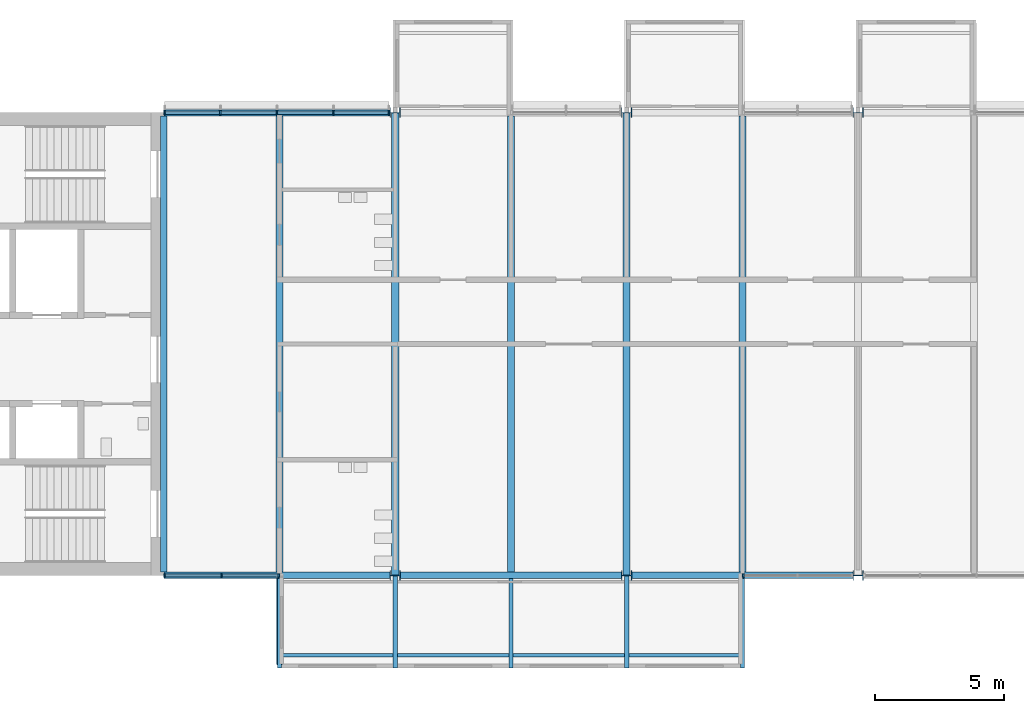
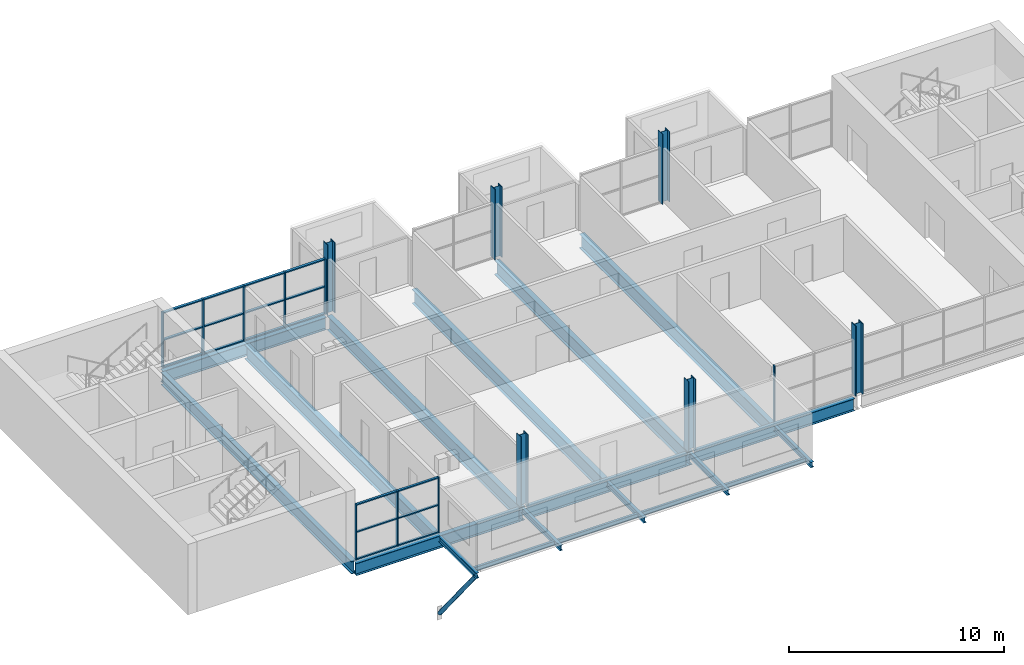
# One storey, part 1 of 12: 28 members, 19 beams, 6 columns, 3 elements without a shape of their own.
"""IFC4 building model written with IfcOpenShell, lengths in metres."""

from ifc_helpers import new_model, si_unit, direction, frame, origin, origin_2d, place, context, subcontext, project, spatial, rectangle, hollow_circle, i_section, extrude, material, layer, layer_set, material_profile, profile_set, type_object, element, aggregate, save


model = new_model("IFC4")

# Units and contexts
model_context = context("Model", 3, precision=1e-05, world=origin(), true_north=direction((0.0, 1.0)))
body_context = subcontext(model_context, "Body", "Model", "MODEL_VIEW")
ifc_project = project(units=[si_unit("LENGTHUNIT", "METRE"), si_unit("AREAUNIT", "SQUARE_METRE"), si_unit("VOLUMEUNIT", "CUBIC_METRE"), si_unit("PLANEANGLEUNIT", "RADIAN"), si_unit("MASSUNIT", "GRAM", prefix="KILO")], contexts=[model_context])

# Site, building, storey
site_placement = place(None, origin())
site = spatial("IfcSite", under=ifc_project, at=site_placement, CompositionType="ELEMENT")
building_placement = place(site_placement, origin())
building = spatial("IfcBuilding", under=site, at=building_placement, Name="Corbel Yard City Hall", CompositionType="ELEMENT")
storey_placement = place(building_placement, frame((0.0, 0.0, 31.199951171875)))
storey = spatial("IfcBuildingStorey", under=building, at=storey_placement, Name="L07", CompositionType="ELEMENT", Elevation=31.199951171875)

# Columns
ifc_material_1 = material(Name="Steel Grade 350", Category="steel")
ifc_material_profile_1 = material_profile(ifc_material_1, i_section(OverallWidth=0.39990234375, OverallDepth=0.4140625, WebThickness=0.02490234375, FlangeThickness=0.031982421875, at=origin_2d()), Name="400WC270")
ifc_profile_set_1 = profile_set([ifc_material_profile_1], Name="Steel Grade 350")
column_type = type_object("IfcColumnType", Name="Column 400WC270", PredefinedType="COLUMN", material=ifc_profile_set_1)
for number, where, z_axis, x_axis, name in (
    (1, (18.0, 99.0, 0.0), (0.0, 0.0, 1.0), (0.0, 1.0, 0.0), "Column 400WC270 L/3 L07"),
    (2, (18.0, 117.0, 0.0), (0.0, 0.0, 1.0), (0.0, 1.0, 0.0), "Column 400WC270 N/3 L07"),
    (3, (27.0, 99.0, 0.0), (0.0, 0.0, 1.0), (0.0, 1.0, 0.0), "Column 400WC270 L/4 L07"),
    (4, (27.0, 117.0, 0.0), (0.0, 0.0, 1.0), (0.0, 1.0, 0.0), "Column 400WC270 N/4 L07"),
    (5, (36.0, 99.0, 0.0), (0.0, 0.0, 1.0), (0.0, 1.0, 0.0), "Column 400WC270 L/5 L07"),
    (6, (36.0, 117.0, 0.0), (0.0, 0.0, 1.0), (0.0, 1.0, 0.0), "Column 400WC270 N/5 L07"),
):
    element("IfcColumn", number, at=place(storey_placement, frame(where, z_axis=z_axis, x_axis=x_axis)), inside=storey, type_object=column_type, Name=name, PredefinedType="COLUMN", context=body_context, shape_type="SweptSolid", body=[
        extrude(i_section(OverallWidth=0.39990234375, OverallDepth=0.4140625, WebThickness=0.02490234375, FlangeThickness=0.031982421875, at=origin_2d()), origin(), (0.0, 0.0, 1.0), 4.0),
    ])

# Beams
ifc_material_profile_2 = material_profile(ifc_material_1, i_section(OverallWidth=0.25, OverallDepth=0.699951171875, WebThickness=0.010009765625, FlangeThickness=0.02001953125, at=origin_2d()), Name="700WB130")
ifc_profile_set_2 = profile_set([ifc_material_profile_2], Name="Steel Grade 350")
beam_type_1 = type_object("IfcBeamType", Name="Edge beam 700WB130", PredefinedType="BEAM", material=ifc_profile_set_2)
beam_1_placement = place(storey_placement, frame((9.0, 99.0, -0.5), z_axis=(1.0, 0.0, 0.0), x_axis=(0.0, 1.0, 0.0)))
element("IfcBeam", 7, at=beam_1_placement, inside=storey, type_object=beam_type_1, Name="Edge beam 700WB130 EB9 L07tower", PredefinedType="BEAM", context=body_context, shape_type="SweptSolid", body=[
    extrude(i_section(OverallWidth=0.25, OverallDepth=0.699951171875, WebThickness=0.010009765625, FlangeThickness=0.02001953125, at=origin_2d()), origin(), (0.0, 0.0, 1.0), 8.79296875),
])
for number, where, z_axis, x_axis, name in (
    (8, (18.20703125, 99.0, -0.5), (1.0, 0.0, 0.0), (0.0, 1.0, 0.0), "Edge beam 700WB130 EB9 L07tower"),
    (9, (27.20703125, 99.0, -0.5), (1.0, 0.0, 0.0), (0.0, 1.0, 0.0), "Edge beam 700WB130 EB9 L07tower"),
):
    element("IfcBeam", number, at=place(storey_placement, frame(where, z_axis=z_axis, x_axis=x_axis)), inside=storey, type_object=beam_type_1, Name=name, PredefinedType="BEAM", context=body_context, shape_type="SweptSolid", body=[
        extrude(i_section(OverallWidth=0.25, OverallDepth=0.699951171875, WebThickness=0.010009765625, FlangeThickness=0.02001953125, at=origin_2d()), origin(), (0.0, 0.0, 1.0), 8.5859375),
    ])
beam_2_placement = place(storey_placement, frame((9.0, 117.0, -0.5), z_axis=(1.0, 0.0, 0.0), x_axis=(0.0, 1.0, 0.0)))
element("IfcBeam", 10, at=beam_2_placement, inside=storey, type_object=beam_type_1, Name="Edge beam 700WB130 EB9 L07tower", PredefinedType="BEAM", context=body_context, shape_type="SweptSolid", body=[
    extrude(i_section(OverallWidth=0.25, OverallDepth=0.699951171875, WebThickness=0.010009765625, FlangeThickness=0.02001953125, at=origin_2d()), origin(), (0.0, 0.0, 1.0), 8.79296875),
])
ifc_material_profile_3 = material_profile(ifc_material_1, i_section(OverallWidth=0.27490234375, OverallDepth=0.800048828125, WebThickness=0.010009765625, FlangeThickness=0.02001953125, at=origin_2d()), Name="800WB146")
ifc_profile_set_3 = profile_set([ifc_material_profile_3], Name="Steel Grade 350")
beam_type_2 = type_object("IfcBeamType", Name="Long-span beam 800WB146", PredefinedType="BEAM", material=ifc_profile_set_3)
for number, where, z_axis, x_axis, name in (
    (11, (18.0, 99.012451171875, -0.550048828125), (0.0, 1.0, 0.0), (-1.0, 0.0, 0.0), "Long-span beam 800WB146 SB8 L07tower"),
    (12, (27.0, 99.012451171875, -0.550048828125), (0.0, 1.0, 0.0), (-1.0, 0.0, 0.0), "Long-span beam 800WB146 SB8 L07tower"),
):
    element("IfcBeam", number, at=place(storey_placement, frame(where, z_axis=z_axis, x_axis=x_axis)), inside=storey, type_object=beam_type_2, Name=name, PredefinedType="BEAM", context=body_context, shape_type="SweptSolid", body=[
        extrude(i_section(OverallWidth=0.27490234375, OverallDepth=0.800048828125, WebThickness=0.010009765625, FlangeThickness=0.02001953125, at=origin_2d()), origin(), (0.0, 0.0, 1.0), 17.97509765625),
    ])
ifc_material_profile_4 = material_profile(ifc_material_1, i_section(OverallWidth=0.25, OverallDepth=0.7099609375, WebThickness=0.010009765625, FlangeThickness=0.02490234375, at=origin_2d()), Name="700WB150")
ifc_profile_set_4 = profile_set([ifc_material_profile_4], Name="Steel Grade 350")
beam_type_3 = type_object("IfcBeamType", Name="Long-span edge beam 700WB150", PredefinedType="BEAM", material=ifc_profile_set_4)
beam_3_placement = place(storey_placement, frame((9.0, 99.125, -0.5048828125), z_axis=(0.0, 1.0, 0.0), x_axis=(-1.0, 0.0, 0.0)))
element("IfcBeam", 13, at=beam_3_placement, inside=storey, type_object=beam_type_3, Name="Long-span edge beam 700WB150 EB8 L07tower", PredefinedType="BEAM", context=body_context, shape_type="SweptSolid", body=[
    extrude(i_section(OverallWidth=0.25, OverallDepth=0.7099609375, WebThickness=0.010009765625, FlangeThickness=0.02490234375, at=origin_2d()), origin(), (0.0, 0.0, 1.0), 17.75),
])
ifc_material_profile_5 = material_profile(ifc_material_1, i_section(OverallWidth=0.27490234375, OverallDepth=0.800048828125, WebThickness=0.010009765625, FlangeThickness=0.02001953125, at=origin_2d()), Name="800WB146")
ifc_profile_set_5 = profile_set([ifc_material_profile_5], Name="Steel Grade 350")
beam_type_4 = type_object("IfcBeamType", Name="Long-span secondary beam 800WB146", PredefinedType="JOIST", material=ifc_profile_set_5)
for number, where, z_axis, x_axis, name in (
    (14, (13.5, 99.125, -0.550048828125), (0.0, 1.0, 0.0), (-1.0, 0.0, 0.0), "Long-span secondary beam 800WB146 SB7 L07tower"),
    (15, (22.5, 99.125, -0.550048828125), (0.0, 1.0, 0.0), (-1.0, 0.0, 0.0), "Long-span secondary beam 800WB146 SB7 L07tower"),
    (16, (31.5, 99.125, -0.550048828125), (0.0, 1.0, 0.0), (-1.0, 0.0, 0.0), "Long-span secondary beam 800WB146 SB7 L07tower"),
):
    element("IfcBeam", number, at=place(storey_placement, frame(where, z_axis=z_axis, x_axis=x_axis)), inside=storey, type_object=beam_type_4, Name=name, PredefinedType="JOIST", context=body_context, shape_type="SweptSolid", body=[
        extrude(i_section(OverallWidth=0.27490234375, OverallDepth=0.800048828125, WebThickness=0.010009765625, FlangeThickness=0.02001953125, at=origin_2d()), origin(), (0.0, 0.0, 1.0), 17.75),
    ])

# Curtain wall, members
ifc_material_2 = material(Name="Aluminium extrusion", Category="aluminium")
ifc_layer_1 = layer(ifc_material_2, 0.14990234375)
ifc_layer_set_1 = layer_set([ifc_layer_1], Name="Aluminium extrusion")
curtain_wall_type_1 = type_object("IfcCurtainWallType", Name="CW2", PredefinedType="USERDEFINED", material=ifc_layer_set_1)
curtain_wall_1_placement = place(storey_placement, origin())
curtain_wall_1 = element("IfcCurtainWall", 17, at=curtain_wall_1_placement, inside=storey, type_object=curtain_wall_type_1, Name="Curtain wall CW2 L07", ObjectType="CURTAIN WALL", PredefinedType="USERDEFINED")
ifc_material_profile_6 = material_profile(ifc_material_2, rectangle(XDim=0.14990234375, YDim=0.06494140625, at=origin_2d()), Name="150x65")
ifc_profile_set_6 = profile_set([ifc_material_profile_6], Name="Aluminium extrusion")
member_type_1 = type_object("IfcMemberType", Name="ML2", PredefinedType="MULLION", material=ifc_profile_set_6)
member_1_placement = place(storey_placement, frame((9.032470703125, 99.0, 0.0), z_axis=(0.0, 0.0, 1.0), x_axis=(0.0, 1.0, 0.0)))
member_1 = element("IfcMember", 18, at=member_1_placement, type_object=member_type_1, Name="CW2 mullion 1", PredefinedType="MULLION", context=body_context, shape_type="SweptSolid", body=[
    extrude(rectangle(XDim=0.14990234375, YDim=0.06494140625, at=origin_2d()), origin(), (0.0, 0.0, 1.0), 3.150146484375),
])
member_2_placement = place(storey_placement, frame((11.25, 99.0, 0.0), z_axis=(0.0, 0.0, 1.0), x_axis=(0.0, 1.0, 0.0)))
member_2 = element("IfcMember", 19, at=member_2_placement, type_object=member_type_1, Name="CW2 mullion 2", PredefinedType="MULLION", context=body_context, shape_type="SweptSolid", body=[
    extrude(rectangle(XDim=0.14990234375, YDim=0.06494140625, at=origin_2d()), origin(), (0.0, 0.0, 1.0), 3.150146484375),
])
member_3_placement = place(storey_placement, frame((13.467529296875, 99.0, 0.0), z_axis=(0.0, 0.0, 1.0), x_axis=(0.0, 1.0, 0.0)))
member_3 = element("IfcMember", 20, at=member_3_placement, type_object=member_type_1, Name="CW2 mullion 3", PredefinedType="MULLION", context=body_context, shape_type="SweptSolid", body=[
    extrude(rectangle(XDim=0.14990234375, YDim=0.06494140625, at=origin_2d()), origin(), (0.0, 0.0, 1.0), 3.150146484375),
])

# Curtain wall, member
curtain_wall_2_placement = place(storey_placement, origin())
curtain_wall_2 = element("IfcCurtainWall", 21, at=curtain_wall_2_placement, inside=storey, type_object=curtain_wall_type_1, Name="Curtain wall CW2 L07", ObjectType="CURTAIN WALL", PredefinedType="USERDEFINED")
member_4_placement = place(storey_placement, frame((31.532470703125, 99.0, 0.0), z_axis=(0.0, 0.0, 1.0), x_axis=(0.0, 1.0, 0.0)))
member_4 = element("IfcMember", 22, at=member_4_placement, type_object=member_type_1, Name="CW2 mullion 1", PredefinedType="MULLION", context=body_context, shape_type="SweptSolid", body=[
    extrude(rectangle(XDim=0.14990234375, YDim=0.06494140625, at=origin_2d()), origin(), (0.0, 0.0, 1.0), 3.150146484375),
])
aggregate(curtain_wall_2, [member_4])

# Curtain wall, members
ifc_layer_2 = layer(ifc_material_2, 0.179931640625)
ifc_layer_set_2 = layer_set([ifc_layer_2], Name="Aluminium extrusion")
curtain_wall_type_2 = type_object("IfcCurtainWallType", Name="CW6", PredefinedType="USERDEFINED", material=ifc_layer_set_2)
curtain_wall_3_placement = place(storey_placement, origin())
curtain_wall_3 = element("IfcCurtainWall", 23, at=curtain_wall_3_placement, inside=storey, type_object=curtain_wall_type_2, Name="Curtain wall CW6 L07", ObjectType="CURTAIN WALL", PredefinedType="USERDEFINED")
ifc_material_profile_7 = material_profile(ifc_material_2, rectangle(XDim=0.179931640625, YDim=0.06494140625, at=origin_2d()), Name="180x65")
ifc_profile_set_7 = profile_set([ifc_material_profile_7], Name="Aluminium extrusion")
member_type_2 = type_object("IfcMemberType", Name="ML6", PredefinedType="MULLION", material=ifc_profile_set_7)
member_5_placement = place(storey_placement, frame((9.032470703125, 117.0, 0.0), z_axis=(0.0, 0.0, 1.0), x_axis=(0.0, 1.0, 0.0)))
member_5 = element("IfcMember", 24, at=member_5_placement, type_object=member_type_2, Name="CW6 mullion 1", PredefinedType="MULLION", context=body_context, shape_type="SweptSolid", body=[
    extrude(rectangle(XDim=0.179931640625, YDim=0.06494140625, at=origin_2d()), origin(), (0.0, 0.0, 1.0), 3.150146484375),
])
member_6_placement = place(storey_placement, frame((11.1982421875, 117.0, 0.0), z_axis=(0.0, 0.0, 1.0), x_axis=(0.0, 1.0, 0.0)))
member_6 = element("IfcMember", 25, at=member_6_placement, type_object=member_type_2, Name="CW6 mullion 2", PredefinedType="MULLION", context=body_context, shape_type="SweptSolid", body=[
    extrude(rectangle(XDim=0.179931640625, YDim=0.06494140625, at=origin_2d()), origin(), (0.0, 0.0, 1.0), 3.150146484375),
])
member_7_placement = place(storey_placement, frame((13.396484375, 117.0, 0.0), z_axis=(0.0, 0.0, 1.0), x_axis=(0.0, 1.0, 0.0)))
member_7 = element("IfcMember", 26, at=member_7_placement, type_object=member_type_2, Name="CW6 mullion 3", PredefinedType="MULLION", context=body_context, shape_type="SweptSolid", body=[
    extrude(rectangle(XDim=0.179931640625, YDim=0.06494140625, at=origin_2d()), origin(), (0.0, 0.0, 1.0), 3.150146484375),
])
member_8_placement = place(storey_placement, frame((15.5947265625, 117.0, 0.0), z_axis=(0.0, 0.0, 1.0), x_axis=(0.0, 1.0, 0.0)))
member_8 = element("IfcMember", 27, at=member_8_placement, type_object=member_type_2, Name="CW6 mullion 4", PredefinedType="MULLION", context=body_context, shape_type="SweptSolid", body=[
    extrude(rectangle(XDim=0.179931640625, YDim=0.06494140625, at=origin_2d()), origin(), (0.0, 0.0, 1.0), 3.150146484375),
])
member_9_placement = place(storey_placement, frame((17.760498046875, 117.0, 0.0), z_axis=(0.0, 0.0, 1.0), x_axis=(0.0, 1.0, 0.0)))
member_9 = element("IfcMember", 28, at=member_9_placement, type_object=member_type_2, Name="CW6 mullion 5", PredefinedType="MULLION", context=body_context, shape_type="SweptSolid", body=[
    extrude(rectangle(XDim=0.179931640625, YDim=0.06494140625, at=origin_2d()), origin(), (0.0, 0.0, 1.0), 3.150146484375),
])

# Member
ifc_material_3 = material(Name="Steel Grade C350L0", Category="steel")
ifc_material_profile_8 = material_profile(ifc_material_3, hollow_circle(Radius=0.109619140625, WallThickness=0.00830078125, at=origin_2d()), Name="219.1x8.2CHS")
ifc_profile_set_8 = profile_set([ifc_material_profile_8], Name="Steel Grade C350L0")
member_type_3 = type_object("IfcMemberType", Name="Pod knee brace", PredefinedType="BRACE", material=ifc_profile_set_8)
member_10_placement = place(storey_placement, frame((13.5, 95.56005859375, -0.4169921875), z_axis=(0.0, 0.629208782084, -0.777236327348), x_axis=(-1.0, 0.0, 0.0)))
element("IfcMember", 29, at=member_10_placement, inside=storey, type_object=member_type_3, Name="Pod knee brace", PredefinedType="BRACE", context=body_context, shape_type="SweptSolid", body=[
    extrude(hollow_circle(Radius=0.109619140625, WallThickness=0.00830078125, at=origin_2d()), origin(), (0.0, 0.0, 1.0), 5.323974609375),
])

# Beams
ifc_material_4 = material(Name="Steel Grade 300 (300 MPa yield)", Category="steel")
ifc_material_profile_9 = material_profile(ifc_material_4, i_section(OverallWidth=0.166015625, OverallDepth=0.306884765625, WebThickness=0.006591796875, FlangeThickness=0.01171875, at=origin_2d()), Name="310UB46.2")
ifc_profile_set_9 = profile_set([ifc_material_profile_9], Name="Steel Grade 300 (300 MPa yield)")
beam_type_5 = type_object("IfcBeamType", Name="Pod stub beam 310UB46.2", PredefinedType="BEAM", material=ifc_profile_set_9)
beam_4_placement = place(storey_placement, frame((13.5, 95.39990234375, -0.303466796875), z_axis=(0.0, 1.0, 0.0), x_axis=(-1.0, 0.0, 0.0)))
element("IfcBeam", 30, at=beam_4_placement, inside=storey, type_object=beam_type_5, Name="Pod stub 310UB46.2 CB1 L07", PredefinedType="BEAM", context=body_context, shape_type="SweptSolid", body=[
    extrude(i_section(OverallWidth=0.166015625, OverallDepth=0.306884765625, WebThickness=0.006591796875, FlangeThickness=0.01171875, at=origin_2d()), origin(), (0.0, 0.0, 1.0), 3.47509765625),
])
beam_5_placement = place(storey_placement, frame((18.0, 95.39990234375, -0.303466796875), z_axis=(0.0, 1.0, 0.0), x_axis=(-1.0, 0.0, 0.0)))
element("IfcBeam", 31, at=beam_5_placement, inside=storey, type_object=beam_type_5, Name="Pod stub 310UB46.2 CB1 L07", PredefinedType="BEAM", context=body_context, shape_type="SweptSolid", body=[
    extrude(i_section(OverallWidth=0.166015625, OverallDepth=0.306884765625, WebThickness=0.006591796875, FlangeThickness=0.01171875, at=origin_2d()), origin(), (0.0, 0.0, 1.0), 3.587646484375),
])
beam_6_placement = place(storey_placement, frame((22.5, 95.39990234375, -0.303466796875), z_axis=(0.0, 1.0, 0.0), x_axis=(-1.0, 0.0, 0.0)))
element("IfcBeam", 32, at=beam_6_placement, inside=storey, type_object=beam_type_5, Name="Pod stub 310UB46.2 CB1 L07", PredefinedType="BEAM", context=body_context, shape_type="SweptSolid", body=[
    extrude(i_section(OverallWidth=0.166015625, OverallDepth=0.306884765625, WebThickness=0.006591796875, FlangeThickness=0.01171875, at=origin_2d()), origin(), (0.0, 0.0, 1.0), 3.47509765625),
])
beam_7_placement = place(storey_placement, frame((27.0, 95.39990234375, -0.303466796875), z_axis=(0.0, 1.0, 0.0), x_axis=(-1.0, 0.0, 0.0)))
element("IfcBeam", 33, at=beam_7_placement, inside=storey, type_object=beam_type_5, Name="Pod stub 310UB46.2 CB1 L07", PredefinedType="BEAM", context=body_context, shape_type="SweptSolid", body=[
    extrude(i_section(OverallWidth=0.166015625, OverallDepth=0.306884765625, WebThickness=0.006591796875, FlangeThickness=0.01171875, at=origin_2d()), origin(), (0.0, 0.0, 1.0), 3.587646484375),
])
beam_8_placement = place(storey_placement, frame((31.5, 95.39990234375, -0.303466796875), z_axis=(0.0, 1.0, 0.0), x_axis=(-1.0, 0.0, 0.0)))
element("IfcBeam", 34, at=beam_8_placement, inside=storey, type_object=beam_type_5, Name="Pod stub 310UB46.2 CB1 L07", PredefinedType="BEAM", context=body_context, shape_type="SweptSolid", body=[
    extrude(i_section(OverallWidth=0.166015625, OverallDepth=0.306884765625, WebThickness=0.006591796875, FlangeThickness=0.01171875, at=origin_2d()), origin(), (0.0, 0.0, 1.0), 3.47509765625),
])
ifc_material_profile_10 = material_profile(ifc_material_4, i_section(OverallWidth=0.1240234375, OverallDepth=0.248046875, WebThickness=0.0048828125, FlangeThickness=0.008056640625, at=origin_2d()), Name="250UB25.7")
ifc_profile_set_10 = profile_set([ifc_material_profile_10], Name="Steel Grade 300 (300 MPa yield)")
beam_type_6 = type_object("IfcBeamType", Name="Pod tip beam", PredefinedType="BEAM", material=ifc_profile_set_10)
for number, where, z_axis, x_axis, name in (
    (35, (13.5830078125, 95.89990234375, -0.27392578125), (1.0, 0.0, 0.0), (0.0, 1.0, 0.0), "Pod tip beam"),
    (36, (18.0830078125, 95.89990234375, -0.27392578125), (1.0, 0.0, 0.0), (0.0, 1.0, 0.0), "Pod tip beam"),
    (37, (22.5830078125, 95.89990234375, -0.27392578125), (1.0, 0.0, 0.0), (0.0, 1.0, 0.0), "Pod tip beam"),
    (38, (27.0830078125, 95.89990234375, -0.27392578125), (1.0, 0.0, 0.0), (0.0, 1.0, 0.0), "Pod tip beam"),
):
    element("IfcBeam", number, at=place(storey_placement, frame(where, z_axis=z_axis, x_axis=x_axis)), inside=storey, type_object=beam_type_6, Name=name, PredefinedType="BEAM", context=body_context, shape_type="SweptSolid", body=[
        extrude(i_section(OverallWidth=0.1240234375, OverallDepth=0.248046875, WebThickness=0.0048828125, FlangeThickness=0.008056640625, at=origin_2d()), origin(), (0.0, 0.0, 1.0), 4.333984375),
    ])

# Member
ifc_material_profile_11 = material_profile(ifc_material_2, rectangle(XDim=0.1201171875, YDim=0.06494140625, at=origin_2d()), Name="120x65")
ifc_profile_set_11 = profile_set([ifc_material_profile_11], Name="Aluminium extrusion")
member_type_4 = type_object("IfcMemberType", Name="TR2", PredefinedType="USERDEFINED", material=ifc_profile_set_11)
member_11_placement = place(storey_placement, frame((9.06494140625, 99.0, 0.032470703125), z_axis=(1.0, 0.0, 0.0), x_axis=(0.0, 1.0, 0.0)))
member_11 = element("IfcMember", 39, at=member_11_placement, type_object=member_type_4, Name="CW2 transom 1.1", ObjectType="TRANSOM", PredefinedType="USERDEFINED", context=body_context, shape_type="SweptSolid", body=[
    extrude(rectangle(XDim=0.1201171875, YDim=0.06494140625, at=origin_2d()), origin(), (0.0, 0.0, 1.0), 2.152587890625),
])

member_12_placement = place(storey_placement, frame((9.06494140625, 99.0, 1.574951171875), z_axis=(1.0, 0.0, 0.0), x_axis=(0.0, 1.0, 0.0)))
member_12 = element("IfcMember", 40, at=member_12_placement, type_object=member_type_4, Name="CW2 transom 1.2", ObjectType="TRANSOM", PredefinedType="USERDEFINED", context=body_context, shape_type="SweptSolid", body=[
    extrude(rectangle(XDim=0.1201171875, YDim=0.06494140625, at=origin_2d()), origin(), (0.0, 0.0, 1.0), 2.152587890625),
])

member_13_placement = place(storey_placement, frame((9.06494140625, 99.0, 3.117431640625), z_axis=(1.0, 0.0, 0.0), x_axis=(0.0, 1.0, 0.0)))
member_13 = element("IfcMember", 41, at=member_13_placement, type_object=member_type_4, Name="CW2 transom 1.3", ObjectType="TRANSOM", PredefinedType="USERDEFINED", context=body_context, shape_type="SweptSolid", body=[
    extrude(rectangle(XDim=0.1201171875, YDim=0.06494140625, at=origin_2d()), origin(), (0.0, 0.0, 1.0), 2.152587890625),
])

member_14_placement = place(storey_placement, frame((11.282470703125, 99.0, 0.032470703125), z_axis=(1.0, 0.0, 0.0), x_axis=(0.0, 1.0, 0.0)))
member_14 = element("IfcMember", 42, at=member_14_placement, type_object=member_type_4, Name="CW2 transom 2.1", ObjectType="TRANSOM", PredefinedType="USERDEFINED", context=body_context, shape_type="SweptSolid", body=[
    extrude(rectangle(XDim=0.1201171875, YDim=0.06494140625, at=origin_2d()), origin(), (0.0, 0.0, 1.0), 2.152587890625),
])

member_15_placement = place(storey_placement, frame((11.282470703125, 99.0, 1.574951171875), z_axis=(1.0, 0.0, 0.0), x_axis=(0.0, 1.0, 0.0)))
member_15 = element("IfcMember", 43, at=member_15_placement, type_object=member_type_4, Name="CW2 transom 2.2", ObjectType="TRANSOM", PredefinedType="USERDEFINED", context=body_context, shape_type="SweptSolid", body=[
    extrude(rectangle(XDim=0.1201171875, YDim=0.06494140625, at=origin_2d()), origin(), (0.0, 0.0, 1.0), 2.152587890625),
])

member_16_placement = place(storey_placement, frame((11.282470703125, 99.0, 3.117431640625), z_axis=(1.0, 0.0, 0.0), x_axis=(0.0, 1.0, 0.0)))
member_16 = element("IfcMember", 44, at=member_16_placement, type_object=member_type_4, Name="CW2 transom 2.3", ObjectType="TRANSOM", PredefinedType="USERDEFINED", context=body_context, shape_type="SweptSolid", body=[
    extrude(rectangle(XDim=0.1201171875, YDim=0.06494140625, at=origin_2d()), origin(), (0.0, 0.0, 1.0), 2.152587890625),
])

aggregate(curtain_wall_1, [member_1, member_2, member_3, member_11, member_12, member_13, member_14, member_15, member_16])

ifc_material_profile_12 = material_profile(ifc_material_2, rectangle(XDim=0.139892578125, YDim=0.06494140625, at=origin_2d()), Name="140x65")
ifc_profile_set_12 = profile_set([ifc_material_profile_12], Name="Aluminium extrusion")
member_type_5 = type_object("IfcMemberType", Name="TR6", PredefinedType="USERDEFINED", material=ifc_profile_set_12)
member_17_placement = place(storey_placement, frame((9.06494140625, 117.0, 0.032470703125), z_axis=(1.0, 0.0, 0.0), x_axis=(0.0, 1.0, 0.0)))
member_17 = element("IfcMember", 45, at=member_17_placement, type_object=member_type_5, Name="CW6 transom 1.1", ObjectType="TRANSOM", PredefinedType="USERDEFINED", context=body_context, shape_type="SweptSolid", body=[
    extrude(rectangle(XDim=0.139892578125, YDim=0.06494140625, at=origin_2d()), origin(), (0.0, 0.0, 1.0), 2.100830078125),
])

member_18_placement = place(storey_placement, frame((9.06494140625, 117.0, 1.574951171875), z_axis=(1.0, 0.0, 0.0), x_axis=(0.0, 1.0, 0.0)))
member_18 = element("IfcMember", 46, at=member_18_placement, type_object=member_type_5, Name="CW6 transom 1.2", ObjectType="TRANSOM", PredefinedType="USERDEFINED", context=body_context, shape_type="SweptSolid", body=[
    extrude(rectangle(XDim=0.139892578125, YDim=0.06494140625, at=origin_2d()), origin(), (0.0, 0.0, 1.0), 2.100830078125),
])

member_19_placement = place(storey_placement, frame((9.06494140625, 117.0, 3.117431640625), z_axis=(1.0, 0.0, 0.0), x_axis=(0.0, 1.0, 0.0)))
member_19 = element("IfcMember", 47, at=member_19_placement, type_object=member_type_5, Name="CW6 transom 1.3", ObjectType="TRANSOM", PredefinedType="USERDEFINED", context=body_context, shape_type="SweptSolid", body=[
    extrude(rectangle(XDim=0.139892578125, YDim=0.06494140625, at=origin_2d()), origin(), (0.0, 0.0, 1.0), 2.100830078125),
])

member_20_placement = place(storey_placement, frame((11.230712890625, 117.0, 0.032470703125), z_axis=(1.0, 0.0, 0.0), x_axis=(0.0, 1.0, 0.0)))
member_20 = element("IfcMember", 48, at=member_20_placement, type_object=member_type_5, Name="CW6 transom 2.1", ObjectType="TRANSOM", PredefinedType="USERDEFINED", context=body_context, shape_type="SweptSolid", body=[
    extrude(rectangle(XDim=0.139892578125, YDim=0.06494140625, at=origin_2d()), origin(), (0.0, 0.0, 1.0), 2.13330078125),
])

member_21_placement = place(storey_placement, frame((11.230712890625, 117.0, 1.574951171875), z_axis=(1.0, 0.0, 0.0), x_axis=(0.0, 1.0, 0.0)))
member_21 = element("IfcMember", 49, at=member_21_placement, type_object=member_type_5, Name="CW6 transom 2.2", ObjectType="TRANSOM", PredefinedType="USERDEFINED", context=body_context, shape_type="SweptSolid", body=[
    extrude(rectangle(XDim=0.139892578125, YDim=0.06494140625, at=origin_2d()), origin(), (0.0, 0.0, 1.0), 2.13330078125),
])

member_22_placement = place(storey_placement, frame((11.230712890625, 117.0, 3.117431640625), z_axis=(1.0, 0.0, 0.0), x_axis=(0.0, 1.0, 0.0)))
member_22 = element("IfcMember", 50, at=member_22_placement, type_object=member_type_5, Name="CW6 transom 2.3", ObjectType="TRANSOM", PredefinedType="USERDEFINED", context=body_context, shape_type="SweptSolid", body=[
    extrude(rectangle(XDim=0.139892578125, YDim=0.06494140625, at=origin_2d()), origin(), (0.0, 0.0, 1.0), 2.13330078125),
])

member_23_placement = place(storey_placement, frame((13.428955078125, 117.0, 0.032470703125), z_axis=(1.0, 0.0, 0.0), x_axis=(0.0, 1.0, 0.0)))
member_23 = element("IfcMember", 51, at=member_23_placement, type_object=member_type_5, Name="CW6 transom 3.1", ObjectType="TRANSOM", PredefinedType="USERDEFINED", context=body_context, shape_type="SweptSolid", body=[
    extrude(rectangle(XDim=0.139892578125, YDim=0.06494140625, at=origin_2d()), origin(), (0.0, 0.0, 1.0), 2.13330078125),
])

member_24_placement = place(storey_placement, frame((13.428955078125, 117.0, 1.574951171875), z_axis=(1.0, 0.0, 0.0), x_axis=(0.0, 1.0, 0.0)))
member_24 = element("IfcMember", 52, at=member_24_placement, type_object=member_type_5, Name="CW6 transom 3.2", ObjectType="TRANSOM", PredefinedType="USERDEFINED", context=body_context, shape_type="SweptSolid", body=[
    extrude(rectangle(XDim=0.139892578125, YDim=0.06494140625, at=origin_2d()), origin(), (0.0, 0.0, 1.0), 2.13330078125),
])

member_25_placement = place(storey_placement, frame((13.428955078125, 117.0, 3.117431640625), z_axis=(1.0, 0.0, 0.0), x_axis=(0.0, 1.0, 0.0)))
member_25 = element("IfcMember", 53, at=member_25_placement, type_object=member_type_5, Name="CW6 transom 3.3", ObjectType="TRANSOM", PredefinedType="USERDEFINED", context=body_context, shape_type="SweptSolid", body=[
    extrude(rectangle(XDim=0.139892578125, YDim=0.06494140625, at=origin_2d()), origin(), (0.0, 0.0, 1.0), 2.13330078125),
])

member_26_placement = place(storey_placement, frame((15.627197265625, 117.0, 0.032470703125), z_axis=(1.0, 0.0, 0.0), x_axis=(0.0, 1.0, 0.0)))
member_26 = element("IfcMember", 54, at=member_26_placement, type_object=member_type_5, Name="CW6 transom 4.1", ObjectType="TRANSOM", PredefinedType="USERDEFINED", context=body_context, shape_type="SweptSolid", body=[
    extrude(rectangle(XDim=0.139892578125, YDim=0.06494140625, at=origin_2d()), origin(), (0.0, 0.0, 1.0), 2.100830078125),
])

member_27_placement = place(storey_placement, frame((15.627197265625, 117.0, 1.574951171875), z_axis=(1.0, 0.0, 0.0), x_axis=(0.0, 1.0, 0.0)))
member_27 = element("IfcMember", 55, at=member_27_placement, type_object=member_type_5, Name="CW6 transom 4.2", ObjectType="TRANSOM", PredefinedType="USERDEFINED", context=body_context, shape_type="SweptSolid", body=[
    extrude(rectangle(XDim=0.139892578125, YDim=0.06494140625, at=origin_2d()), origin(), (0.0, 0.0, 1.0), 2.100830078125),
])

member_28_placement = place(storey_placement, frame((15.627197265625, 117.0, 3.117431640625), z_axis=(1.0, 0.0, 0.0), x_axis=(0.0, 1.0, 0.0)))
member_28 = element("IfcMember", 56, at=member_28_placement, type_object=member_type_5, Name="CW6 transom 4.3", ObjectType="TRANSOM", PredefinedType="USERDEFINED", context=body_context, shape_type="SweptSolid", body=[
    extrude(rectangle(XDim=0.139892578125, YDim=0.06494140625, at=origin_2d()), origin(), (0.0, 0.0, 1.0), 2.100830078125),
])

aggregate(curtain_wall_3, [member_5, member_6, member_7, member_8, member_9, member_17, member_18, member_19, member_20, member_21, member_22, member_23, member_24, member_25, member_26, member_27, member_28])

save(model, "model.ifc")
